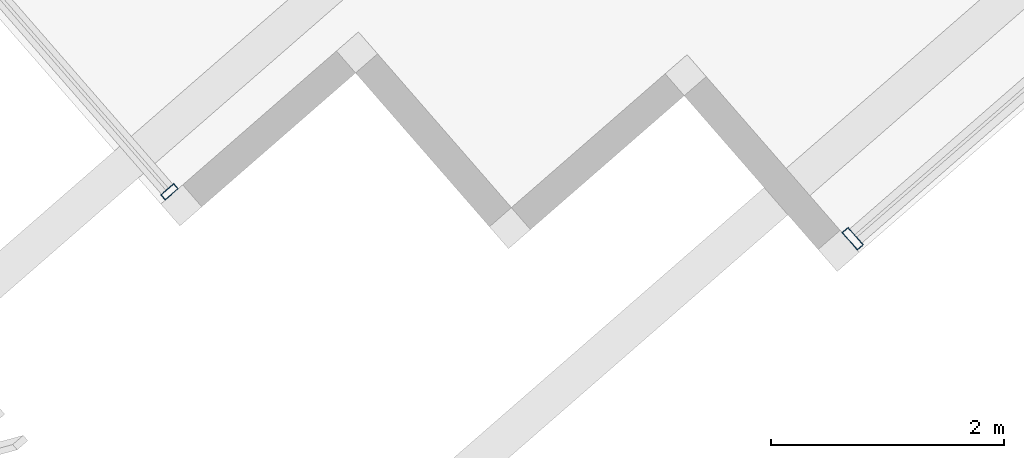
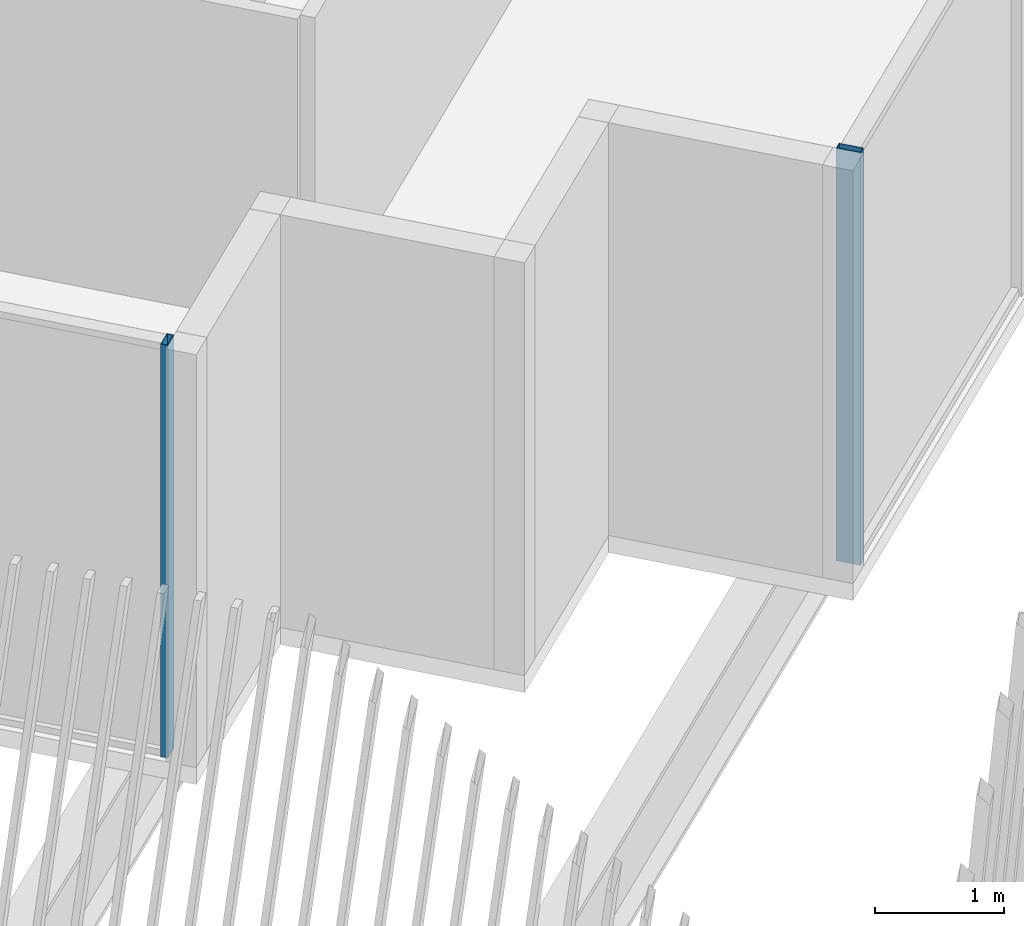
# One storey, part 8 of 28: 2 members, 2 elements without a shape of their own.
"""IFC4 building model written with IfcOpenShell, lengths in metres."""

from ifc_helpers import new_model, si_unit, direction, frame, origin, origin_2d, place, context, subcontext, project, spatial, hollow_rectangle, extrude, material, layer, layer_set, material_profile, profile_set, type_object, element, aggregate, save


model = new_model("IFC4")

# Units and contexts
model_context = context("Model", 3, precision=1e-05, world=origin(), true_north=direction((0.0, 1.0)))
body_context = subcontext(model_context, "Body", "Model", "MODEL_VIEW")
ifc_project = project(units=[si_unit("LENGTHUNIT", "METRE"), si_unit("AREAUNIT", "SQUARE_METRE"), si_unit("VOLUMEUNIT", "CUBIC_METRE"), si_unit("PLANEANGLEUNIT", "RADIAN"), si_unit("MASSUNIT", "GRAM", prefix="KILO")], contexts=[model_context])

# Site, building, storey
site_placement = place(None, origin())
site = spatial("IfcSite", under=ifc_project, at=site_placement, CompositionType="ELEMENT")
building_placement = place(site_placement, origin())
building = spatial("IfcBuilding", under=site, at=building_placement, Name="Tarsis Ring Headquarters", CompositionType="ELEMENT")
storey_placement = place(building_placement, frame((0.0, 0.0, 394.39990234375)))
storey = spatial("IfcBuildingStorey", under=building, at=storey_placement, Name="L93", CompositionType="ELEMENT", Elevation=394.39990234375)

# Curtain wall, member
ifc_material_1 = material(Name="Aluminium curtain wall", Category="aluminium")
ifc_layer_1 = layer(ifc_material_1, 0.199951171875)
ifc_layer_set_1 = layer_set([ifc_layer_1], Name="Curtain wall executive tip")
curtain_wall_type_1 = type_object("IfcCurtainWallType", Name="Curtain wall executive tip", PredefinedType="NOTDEFINED", material=ifc_layer_set_1)
curtain_wall_1_placement = place(storey_placement, origin())
curtain_wall_1 = element("IfcCurtainWall", 1, at=curtain_wall_1_placement, inside=storey, type_object=curtain_wall_type_1, Name="Curtain wall L93-11", PredefinedType="NOTDEFINED")
ifc_material_2 = material(Name="Aluminium mullion", Category="aluminium")
ifc_material_profile_1 = material_profile(ifc_material_2, hollow_rectangle(XDim=0.199951171875, YDim=0.070068359375, WallThickness=0.0048828125, at=origin_2d()), Name="RHS 200x70x5")
ifc_profile_set_1 = profile_set([ifc_material_profile_1], Name="Aluminium mullion")
member_type_1 = type_object("IfcMemberType", Name="Curtain wall mullion executive tip RHS 200x70x5", PredefinedType="MULLION", material=ifc_profile_set_1)
member_1_placement = place(storey_placement, frame((15.109619140625, -29.107421875, 0.0), z_axis=(0.0, 0.0, 1.0), x_axis=(-0.656585760716, 0.754251376416, 0.0)))
member_1 = element("IfcMember", 2, at=member_1_placement, type_object=member_type_1, Name="CW-E mullion 1", PredefinedType="MULLION", context=body_context, shape_type="SweptSolid", body=[
    extrude(hollow_rectangle(XDim=0.199951171875, YDim=0.070068359375, WallThickness=0.0048828125, at=origin_2d()), origin(), (0.0, 0.0, 1.0), 3.900146484375),
])
aggregate(curtain_wall_1, [member_1])

ifc_layer_2 = layer(ifc_material_1, 0.14990234375)
ifc_layer_set_2 = layer_set([ifc_layer_2], Name="Curtain wall tower unit")
curtain_wall_type_2 = type_object("IfcCurtainWallType", Name="Curtain wall tower unit", PredefinedType="NOTDEFINED", material=ifc_layer_set_2)
curtain_wall_2_placement = place(storey_placement, origin())
curtain_wall_2 = element("IfcCurtainWall", 3, at=curtain_wall_2_placement, inside=storey, type_object=curtain_wall_type_2, Name="Curtain wall L93-06", PredefinedType="NOTDEFINED")
ifc_material_profile_2 = material_profile(ifc_material_2, hollow_rectangle(XDim=0.14990234375, YDim=0.06005859375, WallThickness=0.0048828125, at=origin_2d()), Name="RHS 150x60x5")
ifc_profile_set_2 = profile_set([ifc_material_profile_2], Name="Aluminium mullion")
member_type_2 = type_object("IfcMemberType", Name="Curtain wall mullion tower unit RHS 150x60x5", PredefinedType="MULLION", material=ifc_profile_set_2)
member_2_placement = place(storey_placement, frame((9.243896484375, -28.704833984375, 0.0), z_axis=(0.0, 0.0, 1.0), x_axis=(0.754251315348, 0.656585830868, 0.0)))
member_2 = element("IfcMember", 4, at=member_2_placement, type_object=member_type_2, Name="CW-T mullion 3", PredefinedType="MULLION", context=body_context, shape_type="SweptSolid", body=[
    extrude(hollow_rectangle(XDim=0.14990234375, YDim=0.06005859375, WallThickness=0.0048828125, at=origin_2d()), origin(), (0.0, 0.0, 1.0), 3.900146484375),
])
aggregate(curtain_wall_2, [member_2])

save(model, "model.ifc")
